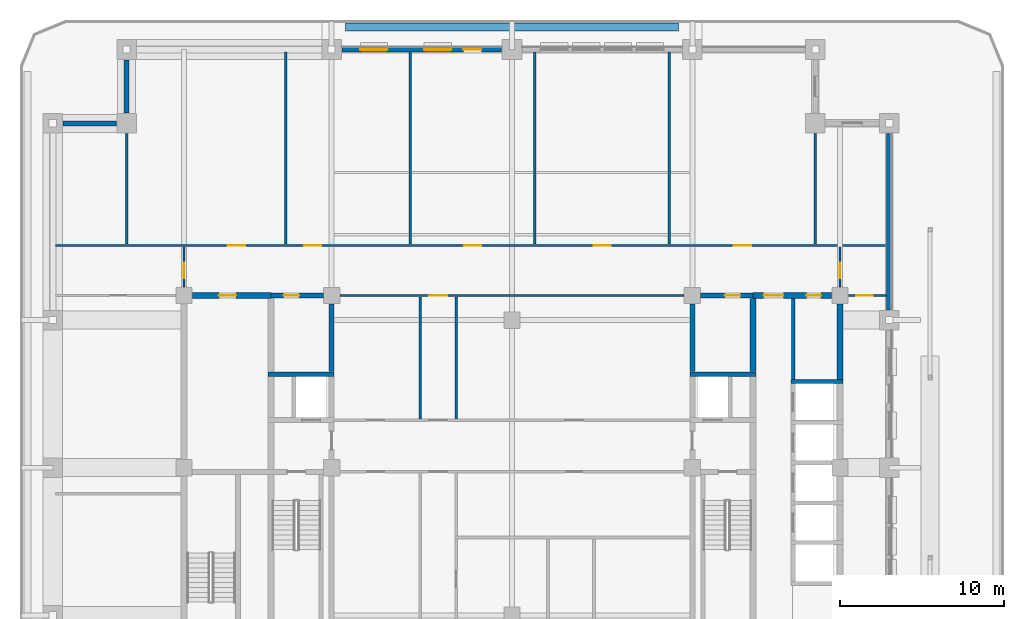
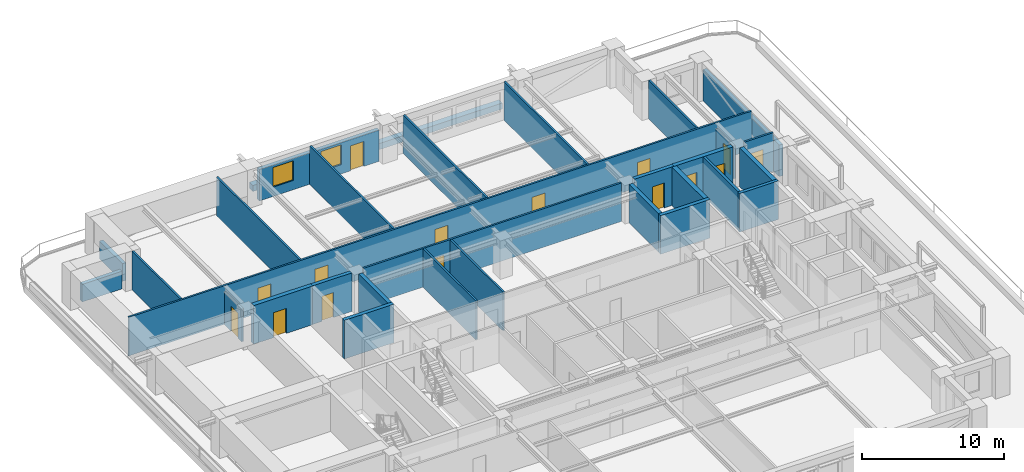
# One storey, part 8 of 17: 30 walls, 15 doors, 2 windows, 17 openings.
"""IFC4 building model written with IfcOpenShell, lengths in metres."""

from ifc_helpers import new_model, si_unit, direction, frame, frame_2d, origin, place, context, subcontext, project, spatial, rectangle, extrude, material, layer, layer_set, type_object, element, fill, save


model = new_model("IFC4")

# Units and contexts
model_context = context("Model", 3, precision=1e-05, world=origin(), true_north=direction((0.0, 1.0)))
body_context = subcontext(model_context, "Body", "Model", "MODEL_VIEW")
ifc_project = project(units=[si_unit("LENGTHUNIT", "METRE"), si_unit("AREAUNIT", "SQUARE_METRE"), si_unit("VOLUMEUNIT", "CUBIC_METRE"), si_unit("PLANEANGLEUNIT", "RADIAN"), si_unit("MASSUNIT", "GRAM", prefix="KILO")], contexts=[model_context])

# Site, building, storey
site_placement = place(None, origin())
site = spatial("IfcSite", under=ifc_project, at=site_placement, CompositionType="ELEMENT")
building_placement = place(site_placement, origin())
building = spatial("IfcBuilding", under=site, at=building_placement, Name="Zulmaris Gate Convention Tower", CompositionType="ELEMENT")
storey_placement = place(building_placement, frame((0.0, 0.0, 121.349853515625)))
storey = spatial("IfcBuildingStorey", under=building, at=storey_placement, Name="L30", CompositionType="ELEMENT", Elevation=121.349853515625)

# Walls
ifc_material_1 = material(Name="Concrete C50/60", Category="concrete")
ifc_layer_1 = layer(ifc_material_1, 0.25, Name="Concrete C50/60")
ifc_layer_set_1 = layer_set([ifc_layer_1], Name="Concrete C50/60")
wall_type_1 = type_object("IfcWallType", Name="CORE-250", PredefinedType="SOLIDWALL", material=ifc_layer_set_1)
wall_1_placement = place(storey_placement, frame((17.02490234375, 5.25, 0.0), z_axis=(0.0, 0.0, 1.0), x_axis=(1.0, 0.0, 0.0)))
element("IfcWall", 1, at=wall_1_placement, inside=storey, type_object=wall_type_1, Name="WL-L30-014", PredefinedType="SOLIDWALL", context=body_context, shape_type="SweptSolid", body=[
    extrude(rectangle(XDim=3.150146484375, YDim=0.25, at=frame_2d((1.5751953125, 0.0))), origin(), (0.0, 0.0, 1.0), 3.320068359375),
])
ifc_layer_2 = layer(ifc_material_1, 0.300048828125, Name="Concrete C50/60")
ifc_layer_set_2 = layer_set([ifc_layer_2], Name="Concrete C50/60")
wall_type_2 = type_object("IfcWallType", Name="CORE-300", PredefinedType="SHEAR", material=ifc_layer_set_2)
for number, where, z_axis, x_axis, name in (
    (2, (-14.875, 5.699951171875, 0.0), (0.0, 0.0, 1.0), (1.0, 0.0, 0.0), "WL-L30-015"),
    (3, (10.85009765625, 5.699951171875, 0.0), (0.0, 0.0, 1.0), (1.0, 0.0, 0.0), "WL-L30-016"),
):
    element("IfcWall", number, at=place(storey_placement, frame(where, z_axis=z_axis, x_axis=x_axis)), inside=storey, type_object=wall_type_2, Name=name, PredefinedType="SHEAR", context=body_context, shape_type="SweptSolid", body=[
        extrude(rectangle(XDim=4.02490234375, YDim=0.300048828125, at=frame_2d((2.012451171875, 0.0))), origin(), (0.0, 0.0, 1.0), 3.320068359375),
    ])

# Wall, opening, door
wall_2_placement = place(storey_placement, frame((-14.699951171875, 10.5, 0.0), z_axis=(0.0, 0.0, 1.0), x_axis=(1.0, 0.0, 0.0)))
wall_2 = element("IfcWall", 4, at=wall_2_placement, inside=storey, type_object=wall_type_2, Name="WL-L30-018", PredefinedType="SHEAR", context=body_context, shape_type="SweptSolid", body=[
    extrude(rectangle(XDim=3.196044921875, YDim=0.300048828125, at=frame_2d((1.59814453125, 0.0))), origin(), (0.0, 0.0, 1.0), 3.320068359375),
])
opening_1_placement = place(wall_2_placement, frame((0.77490234375, 0.0, 0.0)))
opening_1 = element("IfcOpeningElement", 5, at=opening_1_placement, cuts=wall_2, Name="Opening D-11", PredefinedType="OPENING", context=body_context, shape_type="SweptSolid", body=[
    extrude(rectangle(XDim=0.949951171875, YDim=2.14990234375, at=frame_2d((0.47509765625, 1.074951171875))), frame((0.0, 0.16015625, 0.0), z_axis=(0.0, -1.0, 0.0), x_axis=(1.0, 0.0, 0.0)), (0.0, 0.0, 1.0), 0.320068359375),
])
ifc_material_2 = material(Name="Fire-Rated Timber", Category="wood")
door_type_1 = type_object("IfcDoorType", Name="DR-950-FD", OperationType="NOTDEFINED", PredefinedType="DOOR", material=ifc_material_2)
door_1_placement = place(opening_1_placement, origin())
door_1 = element("IfcDoor", 6, at=door_1_placement, inside=storey, type_object=door_type_1, Name="L30 Core Pantry Door 07", OperationType="SINGLE_SWING_LEFT", OverallHeight=2.14990234375, OverallWidth=0.949951171875, PredefinedType="DOOR", context=body_context, shape_type="SweptSolid", body=[
    extrude(rectangle(XDim=0.949951171875, YDim=2.14990234375, at=frame_2d((0.47509765625, 1.074951171875))), frame((0.0, 0.02490234375, 0.0), z_axis=(0.0, -1.0, 0.0), x_axis=(1.0, 0.0, 0.0)), (0.0, 0.0, 1.0), 0.050048828125),
])
fill(opening_1, door_1)

wall_3_placement = place(storey_placement, frame((11.50390625, 10.5, 0.0), z_axis=(0.0, 0.0, 1.0), x_axis=(1.0, 0.0, 0.0)))
wall_3 = element("IfcWall", 7, at=wall_3_placement, inside=storey, type_object=wall_type_2, Name="WL-L30-019", PredefinedType="SHEAR", context=body_context, shape_type="SweptSolid", body=[
    extrude(rectangle(XDim=3.196044921875, YDim=0.300048828125, at=frame_2d((1.59814453125, 0.0))), origin(), (0.0, 0.0, 1.0), 3.320068359375),
])
opening_2_placement = place(wall_3_placement, frame((1.470947265625, 0.0, 0.0)))
opening_2 = element("IfcOpeningElement", 8, at=opening_2_placement, cuts=wall_3, Name="Opening D-11", PredefinedType="OPENING", context=body_context, shape_type="SweptSolid", body=[
    extrude(rectangle(XDim=0.949951171875, YDim=2.14990234375, at=frame_2d((0.47509765625, 1.074951171875))), frame((0.0, 0.16015625, 0.0), z_axis=(0.0, -1.0, 0.0), x_axis=(1.0, 0.0, 0.0)), (0.0, 0.0, 1.0), 0.320068359375),
])
door_2_placement = place(opening_2_placement, origin())
door_2 = element("IfcDoor", 9, at=door_2_placement, inside=storey, type_object=door_type_1, Name="L30 Core Cleaners Store Door 08", OperationType="SINGLE_SWING_RIGHT", OverallHeight=2.14990234375, OverallWidth=0.949951171875, PredefinedType="DOOR", context=body_context, shape_type="SweptSolid", body=[
    extrude(rectangle(XDim=0.949951171875, YDim=2.14990234375, at=frame_2d((0.47509765625, 1.074951171875))), frame((0.0, 0.02490234375, 0.0), z_axis=(0.0, -1.0, 0.0), x_axis=(1.0, 0.0, 0.0)), (0.0, 0.0, 1.0), 0.050048828125),
])
fill(opening_2, door_2)

# Walls
for number, where, z_axis, x_axis, name in (
    (10, (-11.0, 5.85205078125, 0.0), (0.0, 0.0, 1.0), (0.0, 1.0, 0.0), "WL-L30-045"),
    (11, (11.0, 5.85205078125, 0.0), (0.0, 0.0, 1.0), (0.0, 1.0, 0.0), "WL-L30-049"),
):
    element("IfcWall", number, at=place(storey_placement, frame(where, z_axis=z_axis, x_axis=x_axis)), inside=storey, type_object=wall_type_2, Name=name, PredefinedType="SHEAR", context=body_context, shape_type="SweptSolid", body=[
        extrude(rectangle(XDim=4.14404296875, YDim=0.300048828125, at=frame_2d((2.072021484375, 0.0))), origin(), (0.0, 0.0, 1.0), 3.320068359375),
    ])

# Wall, opening, door
ifc_material_3 = material(Name="Concrete C55/67", Category="concrete")
ifc_layer_3 = layer(ifc_material_3, 0.35009765625, Name="Concrete C55/67")
ifc_layer_set_3 = layer_set([ifc_layer_3], Name="Concrete C55/67")
wall_type_3 = type_object("IfcWallType", Name="CORE-350", PredefinedType="SHEAR", material=ifc_layer_set_3)
wall_4_placement = place(storey_placement, frame((-19.49609375, 10.5, 0.0), z_axis=(0.0, 0.0, 1.0), x_axis=(1.0, 0.0, 0.0)))
wall_4 = element("IfcWall", 12, at=wall_4_placement, inside=storey, type_object=wall_type_3, Name="WL-L30-017", PredefinedType="SHEAR", context=body_context, shape_type="SweptSolid", body=[
    extrude(rectangle(XDim=4.796142578125, YDim=0.35009765625, at=frame_2d((2.39794921875, 0.0))), origin(), (0.0, 0.0, 1.0), 3.320068359375),
])
opening_3_placement = place(wall_4_placement, frame((1.62109375, 0.0, 0.0)))
opening_3 = element("IfcOpeningElement", 13, at=opening_3_placement, cuts=wall_4, Name="Opening D-09", PredefinedType="OPENING", context=body_context, shape_type="SweptSolid", body=[
    extrude(rectangle(XDim=1.050048828125, YDim=2.14990234375, at=frame_2d((0.52490234375, 1.074951171875))), frame((0.0, 0.18505859375, 0.0), z_axis=(0.0, -1.0, 0.0), x_axis=(1.0, 0.0, 0.0)), (0.0, 0.0, 1.0), 0.3701171875),
])
ifc_material_4 = material(Name="Fire-Rated Steel", Category="steel")
door_type_2 = type_object("IfcDoorType", Name="DR-1050-FD", OperationType="NOTDEFINED", PredefinedType="DOOR", material=ifc_material_4)
door_3_placement = place(opening_3_placement, origin())
door_3 = element("IfcDoor", 14, at=door_3_placement, inside=storey, type_object=door_type_2, Name="L30 Reclaimed Archive Door 10", OperationType="SINGLE_SWING_RIGHT", OverallHeight=2.14990234375, OverallWidth=1.050048828125, PredefinedType="DOOR", context=body_context, shape_type="SweptSolid", body=[
    extrude(rectangle(XDim=1.050048828125, YDim=2.14990234375, at=frame_2d((0.52490234375, 1.074951171875))), frame((0.0, 0.02490234375, 0.0), z_axis=(0.0, -1.0, 0.0), x_axis=(1.0, 0.0, 0.0)), (0.0, 0.0, 1.0), 0.050048828125),
])
fill(opening_3, door_3)

# Wall, openings, doors
wall_5_placement = place(storey_placement, frame((14.699951171875, 10.5, 0.0), z_axis=(0.0, 0.0, 1.0), x_axis=(1.0, 0.0, 0.0)))
wall_5 = element("IfcWall", 15, at=wall_5_placement, inside=storey, type_object=wall_type_3, Name="WL-L30-020", PredefinedType="SHEAR", context=body_context, shape_type="SweptSolid", body=[
    extrude(rectangle(XDim=4.796142578125, YDim=0.35009765625, at=frame_2d((2.39794921875, 0.0))), origin(), (0.0, 0.0, 1.0), 3.320068359375),
])
opening_4_placement = place(wall_5_placement, frame((0.64990234375, 0.0, 0.0)))
opening_4 = element("IfcOpeningElement", 16, at=opening_4_placement, cuts=wall_5, Name="Opening D-13", PredefinedType="OPENING", context=body_context, shape_type="SweptSolid", body=[
    extrude(rectangle(XDim=1.199951171875, YDim=2.14990234375, at=frame_2d((0.60009765625, 1.074951171875))), frame((0.0, 0.18505859375, 0.0), z_axis=(0.0, -1.0, 0.0), x_axis=(1.0, 0.0, 0.0)), (0.0, 0.0, 1.0), 0.3701171875),
])
opening_5_placement = place(wall_5_placement, frame((3.25, 0.0, 0.0)))
opening_5 = element("IfcOpeningElement", 17, at=opening_5_placement, cuts=wall_5, Name="Opening D-12", PredefinedType="OPENING", context=body_context, shape_type="SweptSolid", body=[
    extrude(rectangle(XDim=0.89990234375, YDim=2.14990234375, at=frame_2d((0.449951171875, 1.074951171875))), frame((0.0, 0.18505859375, 0.0), z_axis=(0.0, -1.0, 0.0), x_axis=(1.0, 0.0, 0.0)), (0.0, 0.0, 1.0), 0.3701171875),
])
door_type_3 = type_object("IfcDoorType", Name="DR-1200-FD", OperationType="NOTDEFINED", PredefinedType="DOOR", material=ifc_material_4)
door_4_placement = place(opening_4_placement, origin())
door_4 = element("IfcDoor", 18, at=door_4_placement, inside=storey, type_object=door_type_3, Name="L30 East Lift Lobby North Door 16", OperationType="SINGLE_SWING_RIGHT", OverallHeight=2.14990234375, OverallWidth=1.199951171875, PredefinedType="DOOR", context=body_context, shape_type="SweptSolid", body=[
    extrude(rectangle(XDim=1.199951171875, YDim=2.14990234375, at=frame_2d((0.60009765625, 1.074951171875))), frame((0.0, 0.02490234375, 0.0), z_axis=(0.0, -1.0, 0.0), x_axis=(1.0, 0.0, 0.0)), (0.0, 0.0, 1.0), 0.050048828125),
])
fill(opening_4, door_4)
door_type_4 = type_object("IfcDoorType", Name="DR-900-FD", OperationType="NOTDEFINED", PredefinedType="DOOR", material=ifc_material_2)
door_5_placement = place(opening_5_placement, origin())
door_5 = element("IfcDoor", 19, at=door_5_placement, inside=storey, type_object=door_type_4, Name="L30 Mid-Rise Archive Door 17", OperationType="SINGLE_SWING_LEFT", OverallHeight=2.14990234375, OverallWidth=0.89990234375, PredefinedType="DOOR", context=body_context, shape_type="SweptSolid", body=[
    extrude(rectangle(XDim=0.89990234375, YDim=2.14990234375, at=frame_2d((0.449951171875, 1.074951171875))), frame((0.0, 0.02490234375, 0.0), z_axis=(0.0, -1.0, 0.0), x_axis=(1.0, 0.0, 0.0)), (0.0, 0.0, 1.0), 0.050048828125),
])
fill(opening_5, door_5)

# Walls
wall_6_placement = place(storey_placement, frame((14.699951171875, 5.85205078125, 0.0), z_axis=(0.0, 0.0, 1.0), x_axis=(0.0, 1.0, 0.0)))
element("IfcWall", 20, at=wall_6_placement, inside=storey, type_object=wall_type_3, Name="WL-L30-055", PredefinedType="SHEAR", context=body_context, shape_type="SweptSolid", body=[
    extrude(rectangle(XDim=4.470947265625, YDim=0.35009765625, at=frame_2d((2.2353515625, 0.0))), origin(), (0.0, 0.0, 1.0), 3.320068359375),
])
wall_7_placement = place(storey_placement, frame((20.0, 5.376953125, 0.0), z_axis=(0.0, 0.0, 1.0), x_axis=(0.0, 1.0, 0.0)))
element("IfcWall", 21, at=wall_7_placement, inside=storey, type_object=wall_type_3, Name="WL-L30-067", PredefinedType="SHEAR", context=body_context, shape_type="SweptSolid", body=[
    extrude(rectangle(XDim=4.619140625, YDim=0.35009765625, at=frame_2d((2.3095703125, 0.0))), origin(), (0.0, 0.0, 1.0), 3.320068359375),
])

# Wall, opening, door
ifc_material_5 = material(Name="Gypsum Metal Stud Partition")
ifc_layer_4 = layer(ifc_material_5, 0.14990234375, Name="Gypsum Metal Stud Partition")
ifc_layer_set_4 = layer_set([ifc_layer_4], Name="Gypsum Metal Stud Partition")
wall_type_4 = type_object("IfcWallType", Name="PART-150", PredefinedType="PARTITIONING", material=ifc_layer_set_4)
wall_8_placement = place(storey_placement, frame((-10.493896484375, 10.5, 0.0), z_axis=(0.0, 0.0, 1.0), x_axis=(1.0, 0.0, 0.0)))
wall_8 = element("IfcWall", 22, at=wall_8_placement, inside=storey, type_object=wall_type_4, Name="WL-L30-030", PredefinedType="PARTITIONING", context=body_context, shape_type="SweptSolid", body=[
    extrude(rectangle(XDim=20.98779296875, YDim=0.14990234375, at=frame_2d((10.493896484375, 0.0))), origin(), (0.0, 0.0, 1.0), 3.320068359375),
])
opening_6_placement = place(wall_8_placement, frame((5.444091796875, 0.0, 0.0)))
opening_6 = element("IfcOpeningElement", 23, at=opening_6_placement, cuts=wall_8, Name="Opening D-08", PredefinedType="OPENING", context=body_context, shape_type="SweptSolid", body=[
    extrude(rectangle(XDim=1.10009765625, YDim=2.14990234375, at=frame_2d((0.550048828125, 1.074951171875))), frame((0.0, 0.0849609375, 0.0), z_axis=(0.0, -1.0, 0.0), x_axis=(1.0, 0.0, 0.0)), (0.0, 0.0, 1.0), 0.169921875),
])
door_type_5 = type_object("IfcDoorType", Name="DR-1100-FD", OperationType="NOTDEFINED", PredefinedType="DOOR", material=ifc_material_4)
door_6_placement = place(opening_6_placement, origin())
door_6 = element("IfcDoor", 24, at=door_6_placement, inside=storey, type_object=door_type_5, Name="L30 North Gallery Link Door 18", OperationType="SINGLE_SWING_RIGHT", OverallHeight=2.14990234375, OverallWidth=1.10009765625, PredefinedType="DOOR", context=body_context, shape_type="SweptSolid", body=[
    extrude(rectangle(XDim=1.10009765625, YDim=2.14990234375, at=frame_2d((0.550048828125, 1.074951171875))), frame((0.0, 0.02490234375, 0.0), z_axis=(0.0, -1.0, 0.0), x_axis=(1.0, 0.0, 0.0)), (0.0, 0.0, 1.0), 0.050048828125),
])
fill(opening_6, door_6)

wall_9_placement = place(storey_placement, frame((20.506103515625, 10.5, 0.0), z_axis=(0.0, 0.0, 1.0), x_axis=(1.0, 0.0, 0.0)))
wall_9 = element("IfcWall", 25, at=wall_9_placement, inside=storey, type_object=wall_type_4, Name="WL-L30-031", PredefinedType="PARTITIONING", context=body_context, shape_type="SweptSolid", body=[
    extrude(rectangle(XDim=2.328857421875, YDim=0.14990234375, at=frame_2d((1.16455078125, 0.0))), origin(), (0.0, 0.0, 1.0), 3.320068359375),
])
opening_7_placement = place(wall_9_placement, frame((0.493896484375, 0.0, 0.0)))
opening_7 = element("IfcOpeningElement", 26, at=opening_7_placement, cuts=wall_9, Name="Opening D-10", PredefinedType="OPENING", context=body_context, shape_type="SweptSolid", body=[
    extrude(rectangle(XDim=1.0, YDim=2.14990234375, at=frame_2d((0.5, 1.074951171875))), frame((0.0, 0.0849609375, 0.0), z_axis=(0.0, -1.0, 0.0), x_axis=(1.0, 0.0, 0.0)), (0.0, 0.0, 1.0), 0.169921875),
])
door_type_6 = type_object("IfcDoorType", Name="DR-1000-FD", OperationType="NOTDEFINED", PredefinedType="DOOR", material=ifc_material_2)
door_7_placement = place(opening_7_placement, origin())
door_7 = element("IfcDoor", 27, at=door_7_placement, inside=storey, type_object=door_type_6, Name="L30 East Workplace North Door 43", OperationType="SINGLE_SWING_LEFT", OverallHeight=2.14990234375, OverallWidth=1.0, PredefinedType="DOOR", context=body_context, shape_type="SweptSolid", body=[
    extrude(rectangle(XDim=1.0, YDim=2.14990234375, at=frame_2d((0.5, 1.074951171875))), frame((0.0, 0.02490234375, 0.0), z_axis=(0.0, -1.0, 0.0), x_axis=(1.0, 0.0, 0.0)), (0.0, 0.0, 1.0), 0.050048828125),
])
fill(opening_7, door_7)

# Wall, openings, doors
wall_10_placement = place(storey_placement, frame((-27.8349609375, 13.550048828125, 0.0), z_axis=(0.0, 0.0, 1.0), x_axis=(1.0, 0.0, 0.0)))
wall_10 = element("IfcWall", 28, at=wall_10_placement, inside=storey, type_object=wall_type_4, Name="WL-L30-032", PredefinedType="PARTITIONING", context=body_context, shape_type="SweptSolid", body=[
    extrude(rectangle(XDim=50.669921875, YDim=0.14990234375, at=frame_2d((25.3349609375, 0.0))), origin(), (0.0, 0.0, 1.0), 3.320068359375),
])
opening_8_placement = place(wall_10_placement, frame((10.510009765625, 0.0, 0.0)))
opening_8 = element("IfcOpeningElement", 29, at=opening_8_placement, cuts=wall_10, Name="Opening D-09", PredefinedType="OPENING", context=body_context, shape_type="SweptSolid", body=[
    extrude(rectangle(XDim=1.050048828125, YDim=2.14990234375, at=frame_2d((0.52490234375, 1.074951171875))), frame((0.0, 0.0849609375, 0.0), z_axis=(0.0, -1.0, 0.0), x_axis=(1.0, 0.0, 0.0)), (0.0, 0.0, 1.0), 0.169921875),
])
opening_9_placement = place(wall_10_placement, frame((15.159912109375, 0.0, 0.0)))
opening_9 = element("IfcOpeningElement", 30, at=opening_9_placement, cuts=wall_10, Name="Opening D-09", PredefinedType="OPENING", context=body_context, shape_type="SweptSolid", body=[
    extrude(rectangle(XDim=1.050048828125, YDim=2.14990234375, at=frame_2d((0.52490234375, 1.074951171875))), frame((0.0, 0.0849609375, 0.0), z_axis=(0.0, -1.0, 0.0), x_axis=(1.0, 0.0, 0.0)), (0.0, 0.0, 1.0), 0.169921875),
])
opening_10_placement = place(wall_10_placement, frame((24.909912109375, 0.0, 0.0)))
opening_10 = element("IfcOpeningElement", 31, at=opening_10_placement, cuts=wall_10, Name="Opening D-09", PredefinedType="OPENING", context=body_context, shape_type="SweptSolid", body=[
    extrude(rectangle(XDim=1.050048828125, YDim=2.14990234375, at=frame_2d((0.52490234375, 1.074951171875))), frame((0.0, 0.0849609375, 0.0), z_axis=(0.0, -1.0, 0.0), x_axis=(1.0, 0.0, 0.0)), (0.0, 0.0, 1.0), 0.169921875),
])
opening_11_placement = place(wall_10_placement, frame((32.81005859375, 0.0, 0.0)))
opening_11 = element("IfcOpeningElement", 32, at=opening_11_placement, cuts=wall_10, Name="Opening D-09", PredefinedType="OPENING", context=body_context, shape_type="SweptSolid", body=[
    extrude(rectangle(XDim=1.050048828125, YDim=2.14990234375, at=frame_2d((0.52490234375, 1.074951171875))), frame((0.0, 0.0849609375, 0.0), z_axis=(0.0, -1.0, 0.0), x_axis=(1.0, 0.0, 0.0)), (0.0, 0.0, 1.0), 0.169921875),
])
opening_12_placement = place(wall_10_placement, frame((41.360107421875, 0.0, 0.0)))
opening_12 = element("IfcOpeningElement", 33, at=opening_12_placement, cuts=wall_10, Name="Opening D-09", PredefinedType="OPENING", context=body_context, shape_type="SweptSolid", body=[
    extrude(rectangle(XDim=1.050048828125, YDim=2.14990234375, at=frame_2d((0.52490234375, 1.074951171875))), frame((0.0, 0.0849609375, 0.0), z_axis=(0.0, -1.0, 0.0), x_axis=(1.0, 0.0, 0.0)), (0.0, 0.0, 1.0), 0.169921875),
])
door_8_placement = place(opening_8_placement, origin())
door_8 = element("IfcDoor", 34, at=door_8_placement, inside=storey, type_object=door_type_2, Name="L30 Partner Corner Office Door 22", OperationType="SINGLE_SWING_RIGHT", OverallHeight=2.14990234375, OverallWidth=1.050048828125, PredefinedType="DOOR", context=body_context, shape_type="SweptSolid", body=[
    extrude(rectangle(XDim=1.050048828125, YDim=2.14990234375, at=frame_2d((0.52490234375, 1.074951171875))), frame((0.0, 0.02490234375, 0.0), z_axis=(0.0, -1.0, 0.0), x_axis=(1.0, 0.0, 0.0)), (0.0, 0.0, 1.0), 0.050048828125),
])
fill(opening_8, door_8)
door_9_placement = place(opening_9_placement, origin())
door_9 = element("IfcDoor", 35, at=door_9_placement, inside=storey, type_object=door_type_2, Name="L30 Advisory Suite Office Door 23", OperationType="SINGLE_SWING_LEFT", OverallHeight=2.14990234375, OverallWidth=1.050048828125, PredefinedType="DOOR", context=body_context, shape_type="SweptSolid", body=[
    extrude(rectangle(XDim=1.050048828125, YDim=2.14990234375, at=frame_2d((0.52490234375, 1.074951171875))), frame((0.0, 0.02490234375, 0.0), z_axis=(0.0, -1.0, 0.0), x_axis=(1.0, 0.0, 0.0)), (0.0, 0.0, 1.0), 0.050048828125),
])
fill(opening_9, door_9)
door_10_placement = place(opening_10_placement, origin())
door_10 = element("IfcDoor", 36, at=door_10_placement, inside=storey, type_object=door_type_2, Name="L30 Open Plan Workplace Door 24", OperationType="SINGLE_SWING_RIGHT", OverallHeight=2.14990234375, OverallWidth=1.050048828125, PredefinedType="DOOR", context=body_context, shape_type="SweptSolid", body=[
    extrude(rectangle(XDim=1.050048828125, YDim=2.14990234375, at=frame_2d((0.52490234375, 1.074951171875))), frame((0.0, 0.02490234375, 0.0), z_axis=(0.0, -1.0, 0.0), x_axis=(1.0, 0.0, 0.0)), (0.0, 0.0, 1.0), 0.050048828125),
])
fill(opening_10, door_10)
door_11_placement = place(opening_11_placement, origin())
door_11 = element("IfcDoor", 37, at=door_11_placement, inside=storey, type_object=door_type_2, Name="L30 Executive Office Door 25", OperationType="SINGLE_SWING_LEFT", OverallHeight=2.14990234375, OverallWidth=1.050048828125, PredefinedType="DOOR", context=body_context, shape_type="SweptSolid", body=[
    extrude(rectangle(XDim=1.050048828125, YDim=2.14990234375, at=frame_2d((0.52490234375, 1.074951171875))), frame((0.0, 0.02490234375, 0.0), z_axis=(0.0, -1.0, 0.0), x_axis=(1.0, 0.0, 0.0)), (0.0, 0.0, 1.0), 0.050048828125),
])
fill(opening_11, door_11)
door_12_placement = place(opening_12_placement, origin())
door_12 = element("IfcDoor", 38, at=door_12_placement, inside=storey, type_object=door_type_2, Name="L30 Partner Corner Office Door 26", OperationType="SINGLE_SWING_RIGHT", OverallHeight=2.14990234375, OverallWidth=1.050048828125, PredefinedType="DOOR", context=body_context, shape_type="SweptSolid", body=[
    extrude(rectangle(XDim=1.050048828125, YDim=2.14990234375, at=frame_2d((0.52490234375, 1.074951171875))), frame((0.0, 0.02490234375, 0.0), z_axis=(0.0, -1.0, 0.0), x_axis=(1.0, 0.0, 0.0)), (0.0, 0.0, 1.0), 0.050048828125),
])
fill(opening_12, door_12)

# Wall
wall_11_placement = place(storey_placement, frame((-23.5, 13.6279296875, 0.0), z_axis=(0.0, 0.0, 1.0), x_axis=(0.0, 1.0, 0.0)))
element("IfcWall", 39, at=wall_11_placement, inside=storey, type_object=wall_type_4, Name="WL-L30-069", PredefinedType="PARTITIONING", context=body_context, shape_type="SweptSolid", body=[
    extrude(rectangle(XDim=6.76611328125, YDim=0.14990234375, at=frame_2d((3.383056640625, 0.0))), origin(), (0.0, 0.0, 1.0), 3.320068359375),
])

# Wall, opening, door
wall_12_placement = place(storey_placement, frame((-20.0, 11.006103515625, 0.0), z_axis=(0.0, 0.0, 1.0), x_axis=(0.0, 1.0, 0.0)))
wall_12 = element("IfcWall", 40, at=wall_12_placement, inside=storey, type_object=wall_type_4, Name="WL-L30-071", PredefinedType="PARTITIONING", context=body_context, shape_type="SweptSolid", body=[
    extrude(rectangle(XDim=2.4658203125, YDim=0.14990234375, at=frame_2d((1.23291015625, 0.0))), origin(), (0.0, 0.0, 1.0), 2.81005859375),
])
opening_13_placement = place(wall_12_placement, frame((0.549072265625, 0.0, 0.0)))
opening_13 = element("IfcOpeningElement", 41, at=opening_13_placement, cuts=wall_12, Name="Opening D-11", PredefinedType="OPENING", context=body_context, shape_type="SweptSolid", body=[
    extrude(rectangle(XDim=0.949951171875, YDim=2.14990234375, at=frame_2d((0.47509765625, 1.074951171875))), frame((0.0, 0.0849609375, 0.0), z_axis=(0.0, -1.0, 0.0), x_axis=(1.0, 0.0, 0.0)), (0.0, 0.0, 1.0), 0.169921875),
])
door_13_placement = place(opening_13_placement, origin())
door_13 = element("IfcDoor", 42, at=door_13_placement, inside=storey, type_object=door_type_1, Name="L30 NW Spur Door 37", OperationType="SINGLE_SWING_LEFT", OverallHeight=2.14990234375, OverallWidth=0.949951171875, PredefinedType="DOOR", context=body_context, shape_type="SweptSolid", body=[
    extrude(rectangle(XDim=0.949951171875, YDim=2.14990234375, at=frame_2d((0.47509765625, 1.074951171875))), frame((0.0, 0.02490234375, 0.0), z_axis=(0.0, -1.0, 0.0), x_axis=(1.0, 0.0, 0.0)), (0.0, 0.0, 1.0), 0.050048828125),
])
fill(opening_13, door_13)

# Walls
for number, where, z_axis, x_axis, name in (
    (43, (-13.800048828125, 13.6279296875, 0.0), (0.0, 0.0, 1.0), (0.0, 1.0, 0.0), "WL-L30-072"),
    (44, (-6.199951171875, 13.6279296875, 0.0), (0.0, 0.0, 1.0), (0.0, 1.0, 0.0), "WL-L30-074"),
):
    element("IfcWall", number, at=place(storey_placement, frame(where, z_axis=z_axis, x_axis=x_axis)), inside=storey, type_object=wall_type_4, Name=name, PredefinedType="PARTITIONING", context=body_context, shape_type="SweptSolid", body=[
        extrude(rectangle(XDim=11.70703125, YDim=0.14990234375, at=frame_2d((5.853515625, 0.0))), origin(), (0.0, 0.0, 1.0), 3.320068359375),
    ])
for number, where, z_axis, x_axis, name in (
    (45, (-5.60009765625, 2.97802734375, 0.0), (0.0, 0.0, 1.0), (0.0, 1.0, 0.0), "WL-L30-076"),
    (46, (-3.39990234375, 2.97802734375, 0.0), (0.0, 0.0, 1.0), (0.0, 1.0, 0.0), "WL-L30-079"),
):
    element("IfcWall", number, at=place(storey_placement, frame(where, z_axis=z_axis, x_axis=x_axis)), inside=storey, type_object=wall_type_4, Name=name, PredefinedType="PARTITIONING", context=body_context, shape_type="SweptSolid", body=[
        extrude(rectangle(XDim=7.444091796875, YDim=0.14990234375, at=frame_2d((3.72216796875, 0.0))), origin(), (0.0, 0.0, 1.0), 3.320068359375),
    ])
for number, where, z_axis, x_axis, name in (
    (47, (1.39990234375, 13.6279296875, 0.0), (0.0, 0.0, 1.0), (0.0, 1.0, 0.0), "WL-L30-080"),
    (48, (9.60009765625, 13.6279296875, 0.0), (0.0, 0.0, 1.0), (0.0, 1.0, 0.0), "WL-L30-084"),
):
    element("IfcWall", number, at=place(storey_placement, frame(where, z_axis=z_axis, x_axis=x_axis)), inside=storey, type_object=wall_type_4, Name=name, PredefinedType="PARTITIONING", context=body_context, shape_type="SweptSolid", body=[
        extrude(rectangle(XDim=11.70703125, YDim=0.14990234375, at=frame_2d((5.853515625, 0.0))), origin(), (0.0, 0.0, 1.0), 3.320068359375),
    ])
wall_13_placement = place(storey_placement, frame((18.5, 13.6279296875, 0.0), z_axis=(0.0, 0.0, 1.0), x_axis=(0.0, 1.0, 0.0)))
element("IfcWall", 49, at=wall_13_placement, inside=storey, type_object=wall_type_4, Name="WL-L30-087", PredefinedType="PARTITIONING", context=body_context, shape_type="SweptSolid", body=[
    extrude(rectangle(XDim=6.76611328125, YDim=0.14990234375, at=frame_2d((3.383056640625, 0.0))), origin(), (0.0, 0.0, 1.0), 3.320068359375),
])

# Wall, opening, door
wall_14_placement = place(storey_placement, frame((20.0, 11.006103515625, 0.0), z_axis=(0.0, 0.0, 1.0), x_axis=(0.0, 1.0, 0.0)))
wall_14 = element("IfcWall", 50, at=wall_14_placement, inside=storey, type_object=wall_type_4, Name="WL-L30-089", PredefinedType="PARTITIONING", context=body_context, shape_type="SweptSolid", body=[
    extrude(rectangle(XDim=2.4658203125, YDim=0.14990234375, at=frame_2d((1.23291015625, 0.0))), origin(), (0.0, 0.0, 1.0), 2.81005859375),
])
opening_14_placement = place(wall_14_placement, frame((0.549072265625, 0.0, 0.0)))
opening_14 = element("IfcOpeningElement", 51, at=opening_14_placement, cuts=wall_14, Name="Opening D-11", PredefinedType="OPENING", context=body_context, shape_type="SweptSolid", body=[
    extrude(rectangle(XDim=0.949951171875, YDim=2.14990234375, at=frame_2d((0.47509765625, 1.074951171875))), frame((0.0, 0.0849609375, 0.0), z_axis=(0.0, -1.0, 0.0), x_axis=(1.0, 0.0, 0.0)), (0.0, 0.0, 1.0), 0.169921875),
])
door_14_placement = place(opening_14_placement, origin())
door_14 = element("IfcDoor", 52, at=door_14_placement, inside=storey, type_object=door_type_1, Name="L30 NE Spur Door 41", OperationType="SINGLE_SWING_LEFT", OverallHeight=2.14990234375, OverallWidth=0.949951171875, PredefinedType="DOOR", context=body_context, shape_type="SweptSolid", body=[
    extrude(rectangle(XDim=0.949951171875, YDim=2.14990234375, at=frame_2d((0.47509765625, 1.074951171875))), frame((0.0, 0.02490234375, 0.0), z_axis=(0.0, -1.0, 0.0), x_axis=(1.0, 0.0, 0.0)), (0.0, 0.0, 1.0), 0.050048828125),
])
fill(opening_14, door_14)

# Walls
ifc_material_6 = material(Name="Autoclaved Aerated Concrete Block and Plasterboard", Category="concrete")
ifc_layer_5 = layer(ifc_material_6, 0.199951171875, Name="Autoclaved Aerated Concrete Block and Plasterboard")
ifc_layer_set_5 = layer_set([ifc_layer_5], Name="Autoclaved Aerated Concrete Block and Plasterboard")
wall_type_5 = type_object("IfcWallType", Name="PART-200", PredefinedType="PARTITIONING", material=ifc_layer_set_5)
wall_15_placement = place(storey_placement, frame((17.14990234375, 5.3779296875, 0.0), z_axis=(0.0, 0.0, 1.0), x_axis=(0.0, 1.0, 0.0)))
element("IfcWall", 53, at=wall_15_placement, inside=storey, type_object=wall_type_5, Name="WL-L30-085", PredefinedType="PARTITIONING", context=body_context, shape_type="SweptSolid", body=[
    extrude(rectangle(XDim=4.944091796875, YDim=0.199951171875, at=frame_2d((2.47216796875, 0.0))), origin(), (0.0, 0.0, 1.0), 3.320068359375),
])
ifc_material_7 = material(Name="Botanical Green Glazed Precast Concrete C40/50", Category="concrete")
ifc_layer_6 = layer(ifc_material_7, 0.419921875, Name="Botanical Green Glazed Precast Concrete C40/50")
ifc_layer_set_6 = layer_set([ifc_layer_6], Name="Botanical Green Glazed Precast Concrete C40/50")
wall_type_6 = type_object("IfcWallType", Name="PLANTER-CURB-200", PredefinedType="PARAPET", material=ifc_layer_set_6)
wall_16_placement = place(storey_placement, frame((-10.14990234375, 26.8798828125, -0.0400390625), z_axis=(0.0, 0.0, 1.0), x_axis=(1.0, 0.0, 0.0)))
element("IfcWall", 54, at=wall_16_placement, inside=storey, type_object=wall_type_6, Name="L30 Full-Length Balcony Tree Planter Trough", PredefinedType="PARAPET", context=body_context, shape_type="SweptSolid", body=[
    extrude(rectangle(XDim=20.2998046875, YDim=0.47998046875, at=frame_2d((10.14990234375, 0.0))), origin(), (0.0, 0.0, 1.0), 0.52001953125),
])
ifc_material_8 = material(Name="Precast concrete C40/50", Category="concrete")
ifc_layer_7 = layer(ifc_material_8, 0.300048828125, Name="Precast concrete C40/50")
ifc_layer_set_7 = layer_set([ifc_layer_7], Name="Precast concrete C40/50")
wall_type_7 = type_object("IfcWallType", Name="PRECAST-PIER-300", PredefinedType="STANDARD", material=ifc_layer_set_7)
for number, where, z_axis, x_axis, name in (
    (55, (-23.5, 24.8701171875, 0.0), (0.0, 0.0, 1.0), (0.0, -1.0, 0.0), "EW-L30-NOTCH-NW1_0"),
    (56, (-24.1298828125, 21.0, 0.0), (0.0, 0.0, 1.0), (-1.0, 0.0, 0.0), "EW-L30-NOTCH-NW2_0"),
):
    element("IfcWall", number, at=place(storey_placement, frame(where, z_axis=z_axis, x_axis=x_axis)), inside=storey, type_object=wall_type_7, Name=name, PredefinedType="STANDARD", context=body_context, shape_type="SweptSolid", body=[
        extrude(rectangle(XDim=3.240234375, YDim=0.300048828125, at=frame_2d((1.6201171875, 0.0))), origin(), (0.0, 0.0, 1.0), 1.511962890625),
    ])

# Wall, openings, door, windows
wall_17_placement = place(storey_placement, frame((-0.6298828125, 25.5, 0.0), z_axis=(0.0, 0.0, 1.0), x_axis=(-1.0, 0.0, 0.0)))
wall_17 = element("IfcWall", 57, at=wall_17_placement, inside=storey, type_object=wall_type_7, Name="EW-L30-N-1_0", PredefinedType="STANDARD", context=body_context, shape_type="SweptSolid", body=[
    extrude(rectangle(XDim=9.740234375, YDim=0.300048828125, at=frame_2d((4.8701171875, 0.0))), origin(), (0.0, 0.0, 1.0), 2.712158203125),
])
opening_15_placement = place(wall_17_placement, frame((1.22998046875, 0.0, 0.0)))
opening_15 = element("IfcOpeningElement", 58, at=opening_15_placement, cuts=wall_17, Name="Opening D-04", PredefinedType="OPENING", context=body_context, shape_type="SweptSolid", body=[
    extrude(rectangle(XDim=1.10009765625, YDim=2.14990234375, at=frame_2d((0.550048828125, 1.074951171875))), frame((0.0, 0.16015625, 0.0), z_axis=(0.0, -1.0, 0.0), x_axis=(1.0, 0.0, 0.0)), (0.0, 0.0, 1.0), 0.320068359375),
])
opening_16_placement = place(wall_17_placement, frame((3.071044921875, 0.0, 0.800048828125)))
opening_16 = element("IfcOpeningElement", 59, at=opening_16_placement, cuts=wall_17, Name="Opening W-08", PredefinedType="OPENING", context=body_context, shape_type="SweptSolid", body=[
    extrude(rectangle(XDim=1.64990234375, YDim=1.699951171875, at=frame_2d((0.824951171875, 0.85009765625))), frame((0.0, 0.16015625, 0.0), z_axis=(0.0, -1.0, 0.0), x_axis=(1.0, 0.0, 0.0)), (0.0, 0.0, 1.0), 0.320068359375),
])
opening_17_placement = place(wall_17_placement, frame((6.967041015625, 0.0, 0.800048828125)))
opening_17 = element("IfcOpeningElement", 60, at=opening_17_placement, cuts=wall_17, Name="Opening W-08", PredefinedType="OPENING", context=body_context, shape_type="SweptSolid", body=[
    extrude(rectangle(XDim=1.64990234375, YDim=1.699951171875, at=frame_2d((0.824951171875, 0.85009765625))), frame((0.0, 0.16015625, 0.0), z_axis=(0.0, -1.0, 0.0), x_axis=(1.0, 0.0, 0.0)), (0.0, 0.0, 1.0), 0.320068359375),
])
ifc_material_9 = material(Name="Anodised Aluminium and Laminated Glass", Category="aluminium")
door_type_7 = type_object("IfcDoorType", Name="ED-1100", OperationType="SINGLE_SWING_RIGHT", PredefinedType="DOOR", material=ifc_material_9)
door_15_placement = place(opening_15_placement, origin())
door_15 = element("IfcDoor", 61, at=door_15_placement, inside=storey, type_object=door_type_7, Name="L30 N Planted Terrace Door", OperationType="SINGLE_SWING_LEFT", OverallHeight=2.14990234375, OverallWidth=1.10009765625, PredefinedType="DOOR", context=body_context, shape_type="SweptSolid", body=[
    extrude(rectangle(XDim=1.10009765625, YDim=2.14990234375, at=frame_2d((0.550048828125, 1.074951171875))), frame((0.0, 0.02490234375, 0.0), z_axis=(0.0, -1.0, 0.0), x_axis=(1.0, 0.0, 0.0)), (0.0, 0.0, 1.0), 0.050048828125),
])
fill(opening_15, door_15)
ifc_material_10 = material(Name="Low-E Laminated Double Glazing in Aluminium Frame", Category="aluminium")
window_type = type_object("IfcWindowType", Name="WIN-1650x2150", PartitioningType="SINGLE_PANEL", PredefinedType="WINDOW", material=ifc_material_10)
window_1_placement = place(opening_16_placement, origin())
window_1 = element("IfcWindow", 62, at=window_1_placement, inside=storey, type_object=window_type, Name="WN-EW-L30-N-1_0-2", OverallHeight=1.699951171875, OverallWidth=1.64990234375, PartitioningType="SINGLE_PANEL", PredefinedType="WINDOW", context=body_context, shape_type="SweptSolid", body=[
    extrude(rectangle(XDim=1.64990234375, YDim=1.699951171875, at=frame_2d((0.824951171875, 0.85009765625))), frame((0.0, 0.030029296875, 0.0), z_axis=(0.0, -1.0, 0.0), x_axis=(1.0, 0.0, 0.0)), (0.0, 0.0, 1.0), 0.06005859375),
])
fill(opening_16, window_1)
window_2_placement = place(opening_17_placement, origin())
window_2 = element("IfcWindow", 63, at=window_2_placement, inside=storey, type_object=window_type, Name="WN-EW-L30-N-1_0-4", OverallHeight=1.699951171875, OverallWidth=1.64990234375, PartitioningType="SINGLE_PANEL", PredefinedType="WINDOW", context=body_context, shape_type="SweptSolid", body=[
    extrude(rectangle(XDim=1.64990234375, YDim=1.699951171875, at=frame_2d((0.824951171875, 0.85009765625))), frame((0.0, 0.030029296875, 0.0), z_axis=(0.0, -1.0, 0.0), x_axis=(1.0, 0.0, 0.0)), (0.0, 0.0, 1.0), 0.06005859375),
])
fill(opening_17, window_2)

# Wall
wall_18_placement = place(storey_placement, frame((23.0, 9.6298828125, 0.0), z_axis=(0.0, 0.0, 1.0), x_axis=(0.0, 1.0, 0.0)))
element("IfcWall", 64, at=wall_18_placement, inside=storey, type_object=wall_type_7, Name="EW-L30-E-3_0", PredefinedType="STANDARD", context=body_context, shape_type="SweptSolid", body=[
    extrude(rectangle(XDim=10.740234375, YDim=0.300048828125, at=frame_2d((5.3701171875, 0.0))), origin(), (0.0, 0.0, 1.0), 2.712158203125),
])

save(model, "model.ifc")
